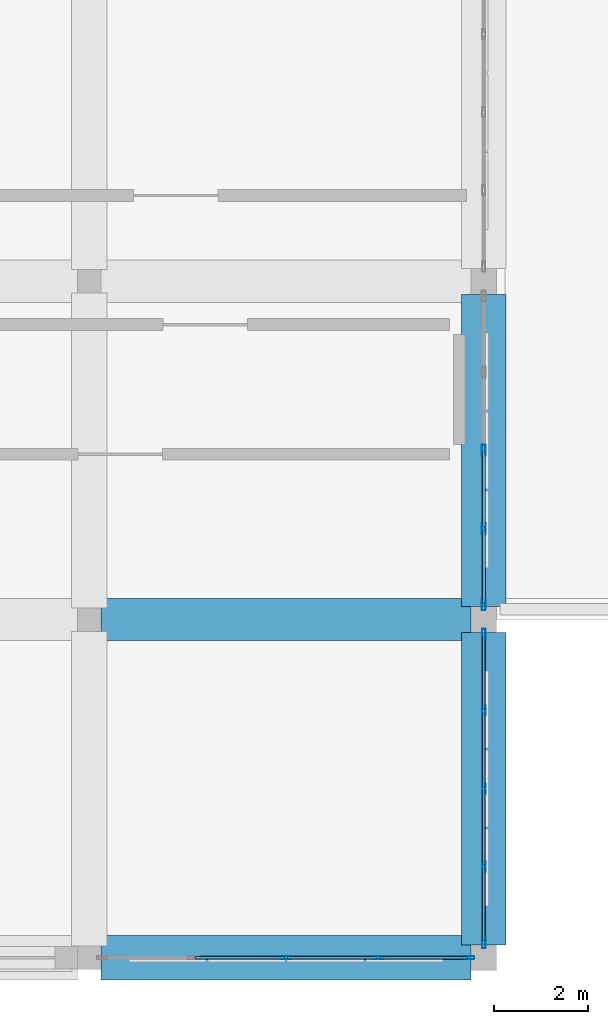
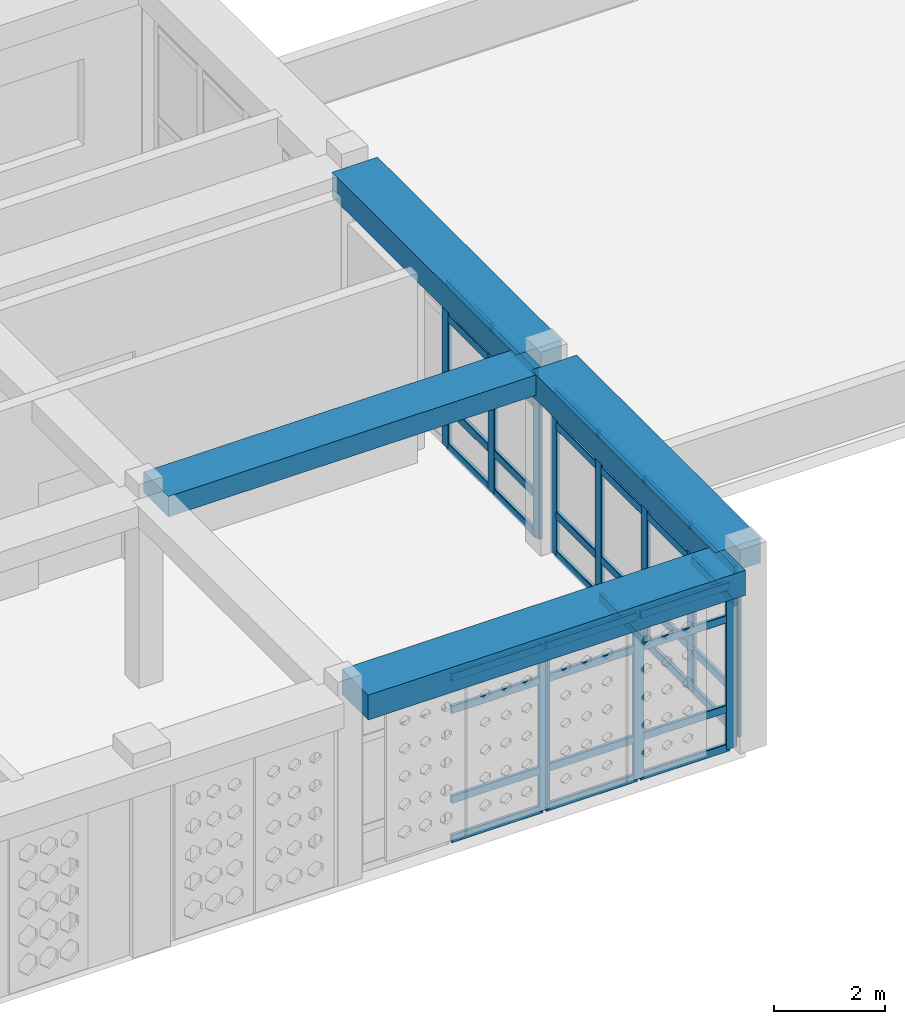
# One storey, part 44 of 111: 47 members, 4 beams, 3 elements without a shape of their own.
"""IFC4 building model written with IfcOpenShell, lengths in metres."""

from ifc_helpers import new_model, si_unit, derived_unit, direction, frame, origin, origin_2d, place, context, subcontext, project, spatial, rectangle, hollow_rectangle, extrude, material, material_profile, profile_set, type_object, element, aggregate, save


model = new_model("IFC4")

# Units and contexts
model_context = context("Model", 3, precision=1e-05, world=origin(), true_north=direction((0.0, 1.0)))
body_context = subcontext(model_context, "Body", "Model", "MODEL_VIEW")
ifc_project = project(units=[si_unit("LENGTHUNIT", "METRE"), si_unit("AREAUNIT", "SQUARE_METRE"), si_unit("VOLUMEUNIT", "CUBIC_METRE"), si_unit("PLANEANGLEUNIT", "RADIAN"), si_unit("MASSUNIT", "GRAM", prefix="KILO"), derived_unit("THERMALTRANSMITTANCEUNIT", [(si_unit("POWERUNIT", "WATT"), 1), (si_unit("LENGTHUNIT", "METRE"), -2), (si_unit("THERMODYNAMICTEMPERATUREUNIT", "KELVIN"), -1)])], contexts=[model_context])

# Site, building, storey
site_placement = place(None, origin())
site = spatial("IfcSite", under=ifc_project, at=site_placement, CompositionType="ELEMENT")
building_placement = place(site_placement, origin())
building = spatial("IfcBuilding", under=site, at=building_placement, Name="Veybourne Emporium", CompositionType="ELEMENT")
storey_placement = place(building_placement, frame((0.0, 0.0, 9.89990234375)))
storey = spatial("IfcBuildingStorey", under=building, at=storey_placement, Name="L02", CompositionType="ELEMENT", Elevation=9.89990234375)

# Curtain wall, members
ifc_material_1 = material(Name="Patinated Architectural Bronze", Category="bronze")
curtain_wall_type_1 = type_object("IfcCurtainWallType", Name="CWSystem_CWS-01", PredefinedType="NOTDEFINED", material=ifc_material_1)
curtain_wall_1_placement = place(storey_placement, origin())
curtain_wall_1 = element("IfcCurtainWall", 1, at=curtain_wall_1_placement, inside=storey, type_object=curtain_wall_type_1, Name="L02 bronze glazed curtain wall CWS-01 (072)", PredefinedType="NOTDEFINED")
ifc_material_profile_1 = material_profile(ifc_material_1, hollow_rectangle(XDim=0.072021484375, YDim=0.22509765625, WallThickness=0.0048828125, InnerFilletRadius=0.007568359375, OuterFilletRadius=0.012451171875, at=origin_2d()), Name="CWM 72x225x5")
ifc_profile_set_1 = profile_set([ifc_material_profile_1], Name="Patinated Architectural Bronze")
member_type_1 = type_object("IfcMemberType", Name="CWMullion_CW-M1", PredefinedType="MULLION", material=ifc_profile_set_1)
member_1_placement = place(storey_placement, frame((150.888916015625, 0.0, 0.0), z_axis=(0.0, 0.0, 1.0), x_axis=(0.0, -1.0, 0.0)))
member_1 = element("IfcMember", 2, at=member_1_placement, type_object=member_type_1, Name="CWS-01 mullion 1", PredefinedType="MULLION", context=body_context, shape_type="SweptSolid", body=[
    extrude(hollow_rectangle(XDim=0.072021484375, YDim=0.22509765625, WallThickness=0.0048828125, InnerFilletRadius=0.007568359375, OuterFilletRadius=0.012451171875, at=origin_2d()), origin(), (0.0, 0.0, 1.0), 3.630126953125),
])
member_2_placement = place(storey_placement, frame((148.956298828125, 0.0, 0.0), z_axis=(0.0, 0.0, 1.0), x_axis=(0.0, -1.0, 0.0)))
member_2 = element("IfcMember", 3, at=member_2_placement, type_object=member_type_1, Name="CWS-01 mullion 2", PredefinedType="MULLION", context=body_context, shape_type="SweptSolid", body=[
    extrude(hollow_rectangle(XDim=0.072021484375, YDim=0.22509765625, WallThickness=0.0048828125, InnerFilletRadius=0.007568359375, OuterFilletRadius=0.012451171875, at=origin_2d()), origin(), (0.0, 0.0, 1.0), 3.630126953125),
])
member_3_placement = place(storey_placement, frame((146.987548828125, 0.0, 0.0), z_axis=(0.0, 0.0, 1.0), x_axis=(0.0, -1.0, 0.0)))
member_3 = element("IfcMember", 4, at=member_3_placement, type_object=member_type_1, Name="CWS-01 mullion 3", PredefinedType="MULLION", context=body_context, shape_type="SweptSolid", body=[
    extrude(hollow_rectangle(XDim=0.072021484375, YDim=0.22509765625, WallThickness=0.0048828125, InnerFilletRadius=0.007568359375, OuterFilletRadius=0.012451171875, at=origin_2d()), origin(), (0.0, 0.0, 1.0), 3.630126953125),
])

curtain_wall_type_2 = type_object("IfcCurtainWallType", Name="CWSystem_CWS-02", PredefinedType="NOTDEFINED", material=ifc_material_1)
curtain_wall_2_placement = place(storey_placement, origin())
curtain_wall_2 = element("IfcCurtainWall", 5, at=curtain_wall_2_placement, inside=storey, type_object=curtain_wall_type_2, Name="L02 bronze glazed curtain wall CWS-02 (073)", PredefinedType="NOTDEFINED")
ifc_material_profile_2 = material_profile(ifc_material_1, hollow_rectangle(XDim=0.074951171875, YDim=0.22998046875, WallThickness=0.0048828125, InnerFilletRadius=0.007568359375, OuterFilletRadius=0.012451171875, at=origin_2d()), Name="CWM 75x230x5")
ifc_profile_set_2 = profile_set([ifc_material_profile_2], Name="Patinated Architectural Bronze")
member_type_2 = type_object("IfcMemberType", Name="CWMullion_CW-M2", PredefinedType="MULLION", material=ifc_profile_set_2)
member_4_placement = place(storey_placement, frame((151.199951171875, 6.887451171875, 0.0), z_axis=(0.0, 0.0, 1.0), x_axis=(1.0, 0.0, 0.0)))
member_4 = element("IfcMember", 6, at=member_4_placement, type_object=member_type_2, Name="CWS-02 mullion 1", PredefinedType="MULLION", context=body_context, shape_type="SweptSolid", body=[
    extrude(hollow_rectangle(XDim=0.074951171875, YDim=0.22998046875, WallThickness=0.0048828125, InnerFilletRadius=0.007568359375, OuterFilletRadius=0.012451171875, at=origin_2d()), origin(), (0.0, 0.0, 1.0), 3.630126953125),
])
member_5_placement = place(storey_placement, frame((151.199951171875, 5.262451171875, 0.0), z_axis=(0.0, 0.0, 1.0), x_axis=(1.0, 0.0, 0.0)))
member_5 = element("IfcMember", 7, at=member_5_placement, type_object=member_type_2, Name="CWS-02 mullion 2", PredefinedType="MULLION", context=body_context, shape_type="SweptSolid", body=[
    extrude(hollow_rectangle(XDim=0.074951171875, YDim=0.22998046875, WallThickness=0.0048828125, InnerFilletRadius=0.007568359375, OuterFilletRadius=0.012451171875, at=origin_2d()), origin(), (0.0, 0.0, 1.0), 3.630126953125),
])
member_6_placement = place(storey_placement, frame((151.199951171875, 3.60009765625, 0.0), z_axis=(0.0, 0.0, 1.0), x_axis=(1.0, 0.0, 0.0)))
member_6 = element("IfcMember", 8, at=member_6_placement, type_object=member_type_2, Name="CWS-02 mullion 3", PredefinedType="MULLION", context=body_context, shape_type="SweptSolid", body=[
    extrude(hollow_rectangle(XDim=0.074951171875, YDim=0.22998046875, WallThickness=0.0048828125, InnerFilletRadius=0.007568359375, OuterFilletRadius=0.012451171875, at=origin_2d()), origin(), (0.0, 0.0, 1.0), 3.630126953125),
])
member_7_placement = place(storey_placement, frame((151.199951171875, 1.9375, 0.0), z_axis=(0.0, 0.0, 1.0), x_axis=(1.0, 0.0, 0.0)))
member_7 = element("IfcMember", 9, at=member_7_placement, type_object=member_type_2, Name="CWS-02 mullion 4", PredefinedType="MULLION", context=body_context, shape_type="SweptSolid", body=[
    extrude(hollow_rectangle(XDim=0.074951171875, YDim=0.22998046875, WallThickness=0.0048828125, InnerFilletRadius=0.007568359375, OuterFilletRadius=0.012451171875, at=origin_2d()), origin(), (0.0, 0.0, 1.0), 3.630126953125),
])
member_8_placement = place(storey_placement, frame((151.199951171875, 0.3125, 0.0), z_axis=(0.0, 0.0, 1.0), x_axis=(1.0, 0.0, 0.0)))
member_8 = element("IfcMember", 10, at=member_8_placement, type_object=member_type_2, Name="CWS-02 mullion 5", PredefinedType="MULLION", context=body_context, shape_type="SweptSolid", body=[
    extrude(hollow_rectangle(XDim=0.074951171875, YDim=0.22998046875, WallThickness=0.0048828125, InnerFilletRadius=0.007568359375, OuterFilletRadius=0.012451171875, at=origin_2d()), origin(), (0.0, 0.0, 1.0), 3.630126953125),
])

curtain_wall_type_3 = type_object("IfcCurtainWallType", Name="CWSystem_CWS-03", PredefinedType="NOTDEFINED", material=ifc_material_1)
curtain_wall_3_placement = place(storey_placement, origin())
curtain_wall_3 = element("IfcCurtainWall", 11, at=curtain_wall_3_placement, inside=storey, type_object=curtain_wall_type_3, Name="L02 bronze glazed curtain wall CWS-03 (074)", PredefinedType="NOTDEFINED")
ifc_material_profile_3 = material_profile(ifc_material_1, hollow_rectangle(XDim=0.077880859375, YDim=0.235107421875, WallThickness=0.0048828125, InnerFilletRadius=0.007568359375, OuterFilletRadius=0.012451171875, at=origin_2d()), Name="CWM 78x235x5")
ifc_profile_set_3 = profile_set([ifc_material_profile_3], Name="Patinated Architectural Bronze")
member_type_3 = type_object("IfcMemberType", Name="CWMullion_CW-M3", PredefinedType="MULLION", material=ifc_profile_set_3)
member_9_placement = place(storey_placement, frame((151.199951171875, 10.800048828125, 0.0), z_axis=(0.0, 0.0, 1.0), x_axis=(1.0, 0.0, 0.0)))
member_9 = element("IfcMember", 12, at=member_9_placement, type_object=member_type_3, Name="CWS-03 mullion 3", PredefinedType="MULLION", context=body_context, shape_type="SweptSolid", body=[
    extrude(hollow_rectangle(XDim=0.077880859375, YDim=0.235107421875, WallThickness=0.0048828125, InnerFilletRadius=0.007568359375, OuterFilletRadius=0.012451171875, at=origin_2d()), origin(), (0.0, 0.0, 1.0), 3.630126953125),
])
member_10_placement = place(storey_placement, frame((151.199951171875, 9.137451171875, 0.0), z_axis=(0.0, 0.0, 1.0), x_axis=(1.0, 0.0, 0.0)))
member_10 = element("IfcMember", 13, at=member_10_placement, type_object=member_type_3, Name="CWS-03 mullion 4", PredefinedType="MULLION", context=body_context, shape_type="SweptSolid", body=[
    extrude(hollow_rectangle(XDim=0.077880859375, YDim=0.235107421875, WallThickness=0.0048828125, InnerFilletRadius=0.007568359375, OuterFilletRadius=0.012451171875, at=origin_2d()), origin(), (0.0, 0.0, 1.0), 3.630126953125),
])
member_11_placement = place(storey_placement, frame((151.199951171875, 7.513916015625, 0.0), z_axis=(0.0, 0.0, 1.0), x_axis=(1.0, 0.0, 0.0)))
member_11 = element("IfcMember", 14, at=member_11_placement, type_object=member_type_3, Name="CWS-03 mullion 5", PredefinedType="MULLION", context=body_context, shape_type="SweptSolid", body=[
    extrude(hollow_rectangle(XDim=0.077880859375, YDim=0.235107421875, WallThickness=0.0048828125, InnerFilletRadius=0.007568359375, OuterFilletRadius=0.012451171875, at=origin_2d()), origin(), (0.0, 0.0, 1.0), 3.630126953125),
])

# Member
ifc_material_profile_4 = material_profile(ifc_material_1, hollow_rectangle(XDim=0.072021484375, YDim=0.175048828125, WallThickness=0.0048828125, InnerFilletRadius=0.007568359375, OuterFilletRadius=0.012451171875, at=origin_2d()), Name="CWT 72x175x5")
ifc_profile_set_4 = profile_set([ifc_material_profile_4], Name="Patinated Architectural Bronze")
member_type_4 = type_object("IfcMemberType", Name="CWTransom_CW-T1", PredefinedType="NOTDEFINED", material=ifc_profile_set_4)
member_12_placement = place(storey_placement, frame((150.85302734375, 0.0, 0.0361328125), z_axis=(-1.0, 0.0, 0.0), x_axis=(0.0, -1.0, 0.0)))
member_12 = element("IfcMember", 15, at=member_12_placement, type_object=member_type_4, Name="CWS-01 transom 1.1", ObjectType="TRANSOM", PredefinedType="USERDEFINED", context=body_context, shape_type="SweptSolid", body=[
    extrude(hollow_rectangle(XDim=0.072021484375, YDim=0.175048828125, WallThickness=0.0048828125, InnerFilletRadius=0.007568359375, OuterFilletRadius=0.012451171875, at=origin_2d()), origin(), (0.0, 0.0, 1.0), 1.86083984375),
])

member_13_placement = place(storey_placement, frame((150.85302734375, 0.0, 0.900146484375), z_axis=(-1.0, 0.0, 0.0), x_axis=(0.0, -1.0, 0.0)))
member_13 = element("IfcMember", 16, at=member_13_placement, type_object=member_type_4, Name="CWS-01 transom 1.2", ObjectType="TRANSOM", PredefinedType="USERDEFINED", context=body_context, shape_type="SweptSolid", body=[
    extrude(hollow_rectangle(XDim=0.072021484375, YDim=0.175048828125, WallThickness=0.0048828125, InnerFilletRadius=0.007568359375, OuterFilletRadius=0.012451171875, at=origin_2d()), origin(), (0.0, 0.0, 1.0), 1.86083984375),
])

member_14_placement = place(storey_placement, frame((150.85302734375, 0.0, 2.880126953125), z_axis=(-1.0, 0.0, 0.0), x_axis=(0.0, -1.0, 0.0)))
member_14 = element("IfcMember", 17, at=member_14_placement, type_object=member_type_4, Name="CWS-01 transom 1.3", ObjectType="TRANSOM", PredefinedType="USERDEFINED", context=body_context, shape_type="SweptSolid", body=[
    extrude(hollow_rectangle(XDim=0.072021484375, YDim=0.175048828125, WallThickness=0.0048828125, InnerFilletRadius=0.007568359375, OuterFilletRadius=0.012451171875, at=origin_2d()), origin(), (0.0, 0.0, 1.0), 1.86083984375),
])

member_15_placement = place(storey_placement, frame((150.85302734375, 0.0, 3.593994140625), z_axis=(-1.0, 0.0, 0.0), x_axis=(0.0, -1.0, 0.0)))
member_15 = element("IfcMember", 18, at=member_15_placement, type_object=member_type_4, Name="CWS-01 transom 1.4", ObjectType="TRANSOM", PredefinedType="USERDEFINED", context=body_context, shape_type="SweptSolid", body=[
    extrude(hollow_rectangle(XDim=0.072021484375, YDim=0.175048828125, WallThickness=0.0048828125, InnerFilletRadius=0.007568359375, OuterFilletRadius=0.012451171875, at=origin_2d()), origin(), (0.0, 0.0, 1.0), 1.86083984375),
])

member_16_placement = place(storey_placement, frame((148.920166015625, 0.0, 0.0361328125), z_axis=(-1.0, 0.0, 0.0), x_axis=(0.0, -1.0, 0.0)))
member_16 = element("IfcMember", 19, at=member_16_placement, type_object=member_type_4, Name="CWS-01 transom 2.1", ObjectType="TRANSOM", PredefinedType="USERDEFINED", context=body_context, shape_type="SweptSolid", body=[
    extrude(hollow_rectangle(XDim=0.072021484375, YDim=0.175048828125, WallThickness=0.0048828125, InnerFilletRadius=0.007568359375, OuterFilletRadius=0.012451171875, at=origin_2d()), origin(), (0.0, 0.0, 1.0), 1.896728515625),
])

member_17_placement = place(storey_placement, frame((148.920166015625, 0.0, 0.900146484375), z_axis=(-1.0, 0.0, 0.0), x_axis=(0.0, -1.0, 0.0)))
member_17 = element("IfcMember", 20, at=member_17_placement, type_object=member_type_4, Name="CWS-01 transom 2.2", ObjectType="TRANSOM", PredefinedType="USERDEFINED", context=body_context, shape_type="SweptSolid", body=[
    extrude(hollow_rectangle(XDim=0.072021484375, YDim=0.175048828125, WallThickness=0.0048828125, InnerFilletRadius=0.007568359375, OuterFilletRadius=0.012451171875, at=origin_2d()), origin(), (0.0, 0.0, 1.0), 1.896728515625),
])

member_18_placement = place(storey_placement, frame((148.920166015625, 0.0, 2.880126953125), z_axis=(-1.0, 0.0, 0.0), x_axis=(0.0, -1.0, 0.0)))
member_18 = element("IfcMember", 21, at=member_18_placement, type_object=member_type_4, Name="CWS-01 transom 2.3", ObjectType="TRANSOM", PredefinedType="USERDEFINED", context=body_context, shape_type="SweptSolid", body=[
    extrude(hollow_rectangle(XDim=0.072021484375, YDim=0.175048828125, WallThickness=0.0048828125, InnerFilletRadius=0.007568359375, OuterFilletRadius=0.012451171875, at=origin_2d()), origin(), (0.0, 0.0, 1.0), 1.896728515625),
])

member_19_placement = place(storey_placement, frame((148.920166015625, 0.0, 3.593994140625), z_axis=(-1.0, 0.0, 0.0), x_axis=(0.0, -1.0, 0.0)))
member_19 = element("IfcMember", 22, at=member_19_placement, type_object=member_type_4, Name="CWS-01 transom 2.4", ObjectType="TRANSOM", PredefinedType="USERDEFINED", context=body_context, shape_type="SweptSolid", body=[
    extrude(hollow_rectangle(XDim=0.072021484375, YDim=0.175048828125, WallThickness=0.0048828125, InnerFilletRadius=0.007568359375, OuterFilletRadius=0.012451171875, at=origin_2d()), origin(), (0.0, 0.0, 1.0), 1.896728515625),
])

member_20_placement = place(storey_placement, frame((146.951416015625, 0.0, 0.0361328125), z_axis=(-1.0, 0.0, 0.0), x_axis=(0.0, -1.0, 0.0)))
member_20 = element("IfcMember", 23, at=member_20_placement, type_object=member_type_4, Name="CWS-01 transom 3.1", ObjectType="TRANSOM", PredefinedType="USERDEFINED", context=body_context, shape_type="SweptSolid", body=[
    extrude(hollow_rectangle(XDim=0.072021484375, YDim=0.175048828125, WallThickness=0.0048828125, InnerFilletRadius=0.007568359375, OuterFilletRadius=0.012451171875, at=origin_2d()), origin(), (0.0, 0.0, 1.0), 1.896728515625),
])

member_21_placement = place(storey_placement, frame((146.951416015625, 0.0, 0.900146484375), z_axis=(-1.0, 0.0, 0.0), x_axis=(0.0, -1.0, 0.0)))
member_21 = element("IfcMember", 24, at=member_21_placement, type_object=member_type_4, Name="CWS-01 transom 3.2", ObjectType="TRANSOM", PredefinedType="USERDEFINED", context=body_context, shape_type="SweptSolid", body=[
    extrude(hollow_rectangle(XDim=0.072021484375, YDim=0.175048828125, WallThickness=0.0048828125, InnerFilletRadius=0.007568359375, OuterFilletRadius=0.012451171875, at=origin_2d()), origin(), (0.0, 0.0, 1.0), 1.896728515625),
])

member_22_placement = place(storey_placement, frame((146.951416015625, 0.0, 2.880126953125), z_axis=(-1.0, 0.0, 0.0), x_axis=(0.0, -1.0, 0.0)))
member_22 = element("IfcMember", 25, at=member_22_placement, type_object=member_type_4, Name="CWS-01 transom 3.3", ObjectType="TRANSOM", PredefinedType="USERDEFINED", context=body_context, shape_type="SweptSolid", body=[
    extrude(hollow_rectangle(XDim=0.072021484375, YDim=0.175048828125, WallThickness=0.0048828125, InnerFilletRadius=0.007568359375, OuterFilletRadius=0.012451171875, at=origin_2d()), origin(), (0.0, 0.0, 1.0), 1.896728515625),
])

member_23_placement = place(storey_placement, frame((146.951416015625, 0.0, 3.593994140625), z_axis=(-1.0, 0.0, 0.0), x_axis=(0.0, -1.0, 0.0)))
member_23 = element("IfcMember", 26, at=member_23_placement, type_object=member_type_4, Name="CWS-01 transom 3.4", ObjectType="TRANSOM", PredefinedType="USERDEFINED", context=body_context, shape_type="SweptSolid", body=[
    extrude(hollow_rectangle(XDim=0.072021484375, YDim=0.175048828125, WallThickness=0.0048828125, InnerFilletRadius=0.007568359375, OuterFilletRadius=0.012451171875, at=origin_2d()), origin(), (0.0, 0.0, 1.0), 1.896728515625),
])

aggregate(curtain_wall_1, [member_1, member_2, member_3, member_12, member_13, member_14, member_15, member_16, member_17, member_18, member_19, member_20, member_21, member_22, member_23])

ifc_material_profile_5 = material_profile(ifc_material_1, hollow_rectangle(XDim=0.074951171875, YDim=0.179931640625, WallThickness=0.0048828125, InnerFilletRadius=0.007568359375, OuterFilletRadius=0.012451171875, at=origin_2d()), Name="CWT 75x180x5")
ifc_profile_set_5 = profile_set([ifc_material_profile_5], Name="Patinated Architectural Bronze")
member_type_5 = type_object("IfcMemberType", Name="CWTransom_CW-T2", PredefinedType="NOTDEFINED", material=ifc_profile_set_5)
member_24_placement = place(storey_placement, frame((151.199951171875, 6.85009765625, 0.03759765625), z_axis=(0.0, -1.0, 0.0), x_axis=(1.0, 0.0, 0.0)))
member_24 = element("IfcMember", 27, at=member_24_placement, type_object=member_type_5, Name="CWS-02 transom 1.1", ObjectType="TRANSOM", PredefinedType="USERDEFINED", context=body_context, shape_type="SweptSolid", body=[
    extrude(hollow_rectangle(XDim=0.074951171875, YDim=0.179931640625, WallThickness=0.0048828125, InnerFilletRadius=0.007568359375, OuterFilletRadius=0.012451171875, at=origin_2d()), origin(), (0.0, 0.0, 1.0), 1.550048828125),
])

member_25_placement = place(storey_placement, frame((151.199951171875, 6.85009765625, 0.900146484375), z_axis=(0.0, -1.0, 0.0), x_axis=(1.0, 0.0, 0.0)))
member_25 = element("IfcMember", 28, at=member_25_placement, type_object=member_type_5, Name="CWS-02 transom 1.2", ObjectType="TRANSOM", PredefinedType="USERDEFINED", context=body_context, shape_type="SweptSolid", body=[
    extrude(hollow_rectangle(XDim=0.074951171875, YDim=0.179931640625, WallThickness=0.0048828125, InnerFilletRadius=0.007568359375, OuterFilletRadius=0.012451171875, at=origin_2d()), origin(), (0.0, 0.0, 1.0), 1.550048828125),
])

member_26_placement = place(storey_placement, frame((151.199951171875, 6.85009765625, 2.880126953125), z_axis=(0.0, -1.0, 0.0), x_axis=(1.0, 0.0, 0.0)))
member_26 = element("IfcMember", 29, at=member_26_placement, type_object=member_type_5, Name="CWS-02 transom 1.3", ObjectType="TRANSOM", PredefinedType="USERDEFINED", context=body_context, shape_type="SweptSolid", body=[
    extrude(hollow_rectangle(XDim=0.074951171875, YDim=0.179931640625, WallThickness=0.0048828125, InnerFilletRadius=0.007568359375, OuterFilletRadius=0.012451171875, at=origin_2d()), origin(), (0.0, 0.0, 1.0), 1.550048828125),
])

member_27_placement = place(storey_placement, frame((151.199951171875, 6.85009765625, 3.592529296875), z_axis=(0.0, -1.0, 0.0), x_axis=(1.0, 0.0, 0.0)))
member_27 = element("IfcMember", 30, at=member_27_placement, type_object=member_type_5, Name="CWS-02 transom 1.4", ObjectType="TRANSOM", PredefinedType="USERDEFINED", context=body_context, shape_type="SweptSolid", body=[
    extrude(hollow_rectangle(XDim=0.074951171875, YDim=0.179931640625, WallThickness=0.0048828125, InnerFilletRadius=0.007568359375, OuterFilletRadius=0.012451171875, at=origin_2d()), origin(), (0.0, 0.0, 1.0), 1.550048828125),
])

member_28_placement = place(storey_placement, frame((151.199951171875, 5.22509765625, 0.03759765625), z_axis=(0.0, -1.0, 0.0), x_axis=(1.0, 0.0, 0.0)))
member_28 = element("IfcMember", 31, at=member_28_placement, type_object=member_type_5, Name="CWS-02 transom 2.1", ObjectType="TRANSOM", PredefinedType="USERDEFINED", context=body_context, shape_type="SweptSolid", body=[
    extrude(hollow_rectangle(XDim=0.074951171875, YDim=0.179931640625, WallThickness=0.0048828125, InnerFilletRadius=0.007568359375, OuterFilletRadius=0.012451171875, at=origin_2d()), origin(), (0.0, 0.0, 1.0), 1.587646484375),
])

member_29_placement = place(storey_placement, frame((151.199951171875, 5.22509765625, 0.900146484375), z_axis=(0.0, -1.0, 0.0), x_axis=(1.0, 0.0, 0.0)))
member_29 = element("IfcMember", 32, at=member_29_placement, type_object=member_type_5, Name="CWS-02 transom 2.2", ObjectType="TRANSOM", PredefinedType="USERDEFINED", context=body_context, shape_type="SweptSolid", body=[
    extrude(hollow_rectangle(XDim=0.074951171875, YDim=0.179931640625, WallThickness=0.0048828125, InnerFilletRadius=0.007568359375, OuterFilletRadius=0.012451171875, at=origin_2d()), origin(), (0.0, 0.0, 1.0), 1.587646484375),
])

member_30_placement = place(storey_placement, frame((151.199951171875, 5.22509765625, 2.880126953125), z_axis=(0.0, -1.0, 0.0), x_axis=(1.0, 0.0, 0.0)))
member_30 = element("IfcMember", 33, at=member_30_placement, type_object=member_type_5, Name="CWS-02 transom 2.3", ObjectType="TRANSOM", PredefinedType="USERDEFINED", context=body_context, shape_type="SweptSolid", body=[
    extrude(hollow_rectangle(XDim=0.074951171875, YDim=0.179931640625, WallThickness=0.0048828125, InnerFilletRadius=0.007568359375, OuterFilletRadius=0.012451171875, at=origin_2d()), origin(), (0.0, 0.0, 1.0), 1.587646484375),
])

member_31_placement = place(storey_placement, frame((151.199951171875, 5.22509765625, 3.592529296875), z_axis=(0.0, -1.0, 0.0), x_axis=(1.0, 0.0, 0.0)))
member_31 = element("IfcMember", 34, at=member_31_placement, type_object=member_type_5, Name="CWS-02 transom 2.4", ObjectType="TRANSOM", PredefinedType="USERDEFINED", context=body_context, shape_type="SweptSolid", body=[
    extrude(hollow_rectangle(XDim=0.074951171875, YDim=0.179931640625, WallThickness=0.0048828125, InnerFilletRadius=0.007568359375, OuterFilletRadius=0.012451171875, at=origin_2d()), origin(), (0.0, 0.0, 1.0), 1.587646484375),
])

member_32_placement = place(storey_placement, frame((151.199951171875, 3.5625, 0.03759765625), z_axis=(0.0, -1.0, 0.0), x_axis=(1.0, 0.0, 0.0)))
member_32 = element("IfcMember", 35, at=member_32_placement, type_object=member_type_5, Name="CWS-02 transom 3.1", ObjectType="TRANSOM", PredefinedType="USERDEFINED", context=body_context, shape_type="SweptSolid", body=[
    extrude(hollow_rectangle(XDim=0.074951171875, YDim=0.179931640625, WallThickness=0.0048828125, InnerFilletRadius=0.007568359375, OuterFilletRadius=0.012451171875, at=origin_2d()), origin(), (0.0, 0.0, 1.0), 1.58740234375),
])

member_33_placement = place(storey_placement, frame((151.199951171875, 3.5625, 0.900146484375), z_axis=(0.0, -1.0, 0.0), x_axis=(1.0, 0.0, 0.0)))
member_33 = element("IfcMember", 36, at=member_33_placement, type_object=member_type_5, Name="CWS-02 transom 3.2", ObjectType="TRANSOM", PredefinedType="USERDEFINED", context=body_context, shape_type="SweptSolid", body=[
    extrude(hollow_rectangle(XDim=0.074951171875, YDim=0.179931640625, WallThickness=0.0048828125, InnerFilletRadius=0.007568359375, OuterFilletRadius=0.012451171875, at=origin_2d()), origin(), (0.0, 0.0, 1.0), 1.58740234375),
])

member_34_placement = place(storey_placement, frame((151.199951171875, 3.5625, 2.880126953125), z_axis=(0.0, -1.0, 0.0), x_axis=(1.0, 0.0, 0.0)))
member_34 = element("IfcMember", 37, at=member_34_placement, type_object=member_type_5, Name="CWS-02 transom 3.3", ObjectType="TRANSOM", PredefinedType="USERDEFINED", context=body_context, shape_type="SweptSolid", body=[
    extrude(hollow_rectangle(XDim=0.074951171875, YDim=0.179931640625, WallThickness=0.0048828125, InnerFilletRadius=0.007568359375, OuterFilletRadius=0.012451171875, at=origin_2d()), origin(), (0.0, 0.0, 1.0), 1.58740234375),
])

member_35_placement = place(storey_placement, frame((151.199951171875, 3.5625, 3.592529296875), z_axis=(0.0, -1.0, 0.0), x_axis=(1.0, 0.0, 0.0)))
member_35 = element("IfcMember", 38, at=member_35_placement, type_object=member_type_5, Name="CWS-02 transom 3.4", ObjectType="TRANSOM", PredefinedType="USERDEFINED", context=body_context, shape_type="SweptSolid", body=[
    extrude(hollow_rectangle(XDim=0.074951171875, YDim=0.179931640625, WallThickness=0.0048828125, InnerFilletRadius=0.007568359375, OuterFilletRadius=0.012451171875, at=origin_2d()), origin(), (0.0, 0.0, 1.0), 1.58740234375),
])

member_36_placement = place(storey_placement, frame((151.199951171875, 1.89990234375, 0.03759765625), z_axis=(0.0, -1.0, 0.0), x_axis=(1.0, 0.0, 0.0)))
member_36 = element("IfcMember", 39, at=member_36_placement, type_object=member_type_5, Name="CWS-02 transom 4.1", ObjectType="TRANSOM", PredefinedType="USERDEFINED", context=body_context, shape_type="SweptSolid", body=[
    extrude(hollow_rectangle(XDim=0.074951171875, YDim=0.179931640625, WallThickness=0.0048828125, InnerFilletRadius=0.007568359375, OuterFilletRadius=0.012451171875, at=origin_2d()), origin(), (0.0, 0.0, 1.0), 1.5498046875),
])

member_37_placement = place(storey_placement, frame((151.199951171875, 1.89990234375, 0.900146484375), z_axis=(0.0, -1.0, 0.0), x_axis=(1.0, 0.0, 0.0)))
member_37 = element("IfcMember", 40, at=member_37_placement, type_object=member_type_5, Name="CWS-02 transom 4.2", ObjectType="TRANSOM", PredefinedType="USERDEFINED", context=body_context, shape_type="SweptSolid", body=[
    extrude(hollow_rectangle(XDim=0.074951171875, YDim=0.179931640625, WallThickness=0.0048828125, InnerFilletRadius=0.007568359375, OuterFilletRadius=0.012451171875, at=origin_2d()), origin(), (0.0, 0.0, 1.0), 1.5498046875),
])

member_38_placement = place(storey_placement, frame((151.199951171875, 1.89990234375, 2.880126953125), z_axis=(0.0, -1.0, 0.0), x_axis=(1.0, 0.0, 0.0)))
member_38 = element("IfcMember", 41, at=member_38_placement, type_object=member_type_5, Name="CWS-02 transom 4.3", ObjectType="TRANSOM", PredefinedType="USERDEFINED", context=body_context, shape_type="SweptSolid", body=[
    extrude(hollow_rectangle(XDim=0.074951171875, YDim=0.179931640625, WallThickness=0.0048828125, InnerFilletRadius=0.007568359375, OuterFilletRadius=0.012451171875, at=origin_2d()), origin(), (0.0, 0.0, 1.0), 1.5498046875),
])

member_39_placement = place(storey_placement, frame((151.199951171875, 1.89990234375, 3.592529296875), z_axis=(0.0, -1.0, 0.0), x_axis=(1.0, 0.0, 0.0)))
member_39 = element("IfcMember", 42, at=member_39_placement, type_object=member_type_5, Name="CWS-02 transom 4.4", ObjectType="TRANSOM", PredefinedType="USERDEFINED", context=body_context, shape_type="SweptSolid", body=[
    extrude(hollow_rectangle(XDim=0.074951171875, YDim=0.179931640625, WallThickness=0.0048828125, InnerFilletRadius=0.007568359375, OuterFilletRadius=0.012451171875, at=origin_2d()), origin(), (0.0, 0.0, 1.0), 1.5498046875),
])

aggregate(curtain_wall_2, [member_4, member_5, member_6, member_7, member_8, member_24, member_25, member_26, member_27, member_28, member_29, member_30, member_31, member_32, member_33, member_34, member_35, member_36, member_37, member_38, member_39])

ifc_material_profile_6 = material_profile(ifc_material_1, hollow_rectangle(XDim=0.077880859375, YDim=0.18505859375, WallThickness=0.0048828125, InnerFilletRadius=0.007568359375, OuterFilletRadius=0.012451171875, at=origin_2d()), Name="CWT 78x185x5")
ifc_profile_set_6 = profile_set([ifc_material_profile_6], Name="Patinated Architectural Bronze")
member_type_6 = type_object("IfcMemberType", Name="CWTransom_CW-T3", PredefinedType="NOTDEFINED", material=ifc_profile_set_6)
member_40_placement = place(storey_placement, frame((151.199951171875, 10.760986328125, 0.0390625), z_axis=(0.0, -1.0, 0.0), x_axis=(1.0, 0.0, 0.0)))
member_40 = element("IfcMember", 43, at=member_40_placement, type_object=member_type_6, Name="CWS-03 transom 3.1", ObjectType="TRANSOM", PredefinedType="USERDEFINED", context=body_context, shape_type="SweptSolid", body=[
    extrude(hollow_rectangle(XDim=0.077880859375, YDim=0.18505859375, WallThickness=0.0048828125, InnerFilletRadius=0.007568359375, OuterFilletRadius=0.012451171875, at=origin_2d()), origin(), (0.0, 0.0, 1.0), 1.58447265625),
])

member_41_placement = place(storey_placement, frame((151.199951171875, 10.760986328125, 0.900146484375), z_axis=(0.0, -1.0, 0.0), x_axis=(1.0, 0.0, 0.0)))
member_41 = element("IfcMember", 44, at=member_41_placement, type_object=member_type_6, Name="CWS-03 transom 3.2", ObjectType="TRANSOM", PredefinedType="USERDEFINED", context=body_context, shape_type="SweptSolid", body=[
    extrude(hollow_rectangle(XDim=0.077880859375, YDim=0.18505859375, WallThickness=0.0048828125, InnerFilletRadius=0.007568359375, OuterFilletRadius=0.012451171875, at=origin_2d()), origin(), (0.0, 0.0, 1.0), 1.58447265625),
])

member_42_placement = place(storey_placement, frame((151.199951171875, 10.760986328125, 2.880126953125), z_axis=(0.0, -1.0, 0.0), x_axis=(1.0, 0.0, 0.0)))
member_42 = element("IfcMember", 45, at=member_42_placement, type_object=member_type_6, Name="CWS-03 transom 3.3", ObjectType="TRANSOM", PredefinedType="USERDEFINED", context=body_context, shape_type="SweptSolid", body=[
    extrude(hollow_rectangle(XDim=0.077880859375, YDim=0.18505859375, WallThickness=0.0048828125, InnerFilletRadius=0.007568359375, OuterFilletRadius=0.012451171875, at=origin_2d()), origin(), (0.0, 0.0, 1.0), 1.58447265625),
])

member_43_placement = place(storey_placement, frame((151.199951171875, 10.760986328125, 3.591064453125), z_axis=(0.0, -1.0, 0.0), x_axis=(1.0, 0.0, 0.0)))
member_43 = element("IfcMember", 46, at=member_43_placement, type_object=member_type_6, Name="CWS-03 transom 3.4", ObjectType="TRANSOM", PredefinedType="USERDEFINED", context=body_context, shape_type="SweptSolid", body=[
    extrude(hollow_rectangle(XDim=0.077880859375, YDim=0.18505859375, WallThickness=0.0048828125, InnerFilletRadius=0.007568359375, OuterFilletRadius=0.012451171875, at=origin_2d()), origin(), (0.0, 0.0, 1.0), 1.58447265625),
])

member_44_placement = place(storey_placement, frame((151.199951171875, 9.098388671875, 0.0390625), z_axis=(0.0, -1.0, 0.0), x_axis=(1.0, 0.0, 0.0)))
member_44 = element("IfcMember", 47, at=member_44_placement, type_object=member_type_6, Name="CWS-03 transom 4.1", ObjectType="TRANSOM", PredefinedType="USERDEFINED", context=body_context, shape_type="SweptSolid", body=[
    extrude(hollow_rectangle(XDim=0.077880859375, YDim=0.18505859375, WallThickness=0.0048828125, InnerFilletRadius=0.007568359375, OuterFilletRadius=0.012451171875, at=origin_2d()), origin(), (0.0, 0.0, 1.0), 1.54541015625),
])

member_45_placement = place(storey_placement, frame((151.199951171875, 9.098388671875, 0.900146484375), z_axis=(0.0, -1.0, 0.0), x_axis=(1.0, 0.0, 0.0)))
member_45 = element("IfcMember", 48, at=member_45_placement, type_object=member_type_6, Name="CWS-03 transom 4.2", ObjectType="TRANSOM", PredefinedType="USERDEFINED", context=body_context, shape_type="SweptSolid", body=[
    extrude(hollow_rectangle(XDim=0.077880859375, YDim=0.18505859375, WallThickness=0.0048828125, InnerFilletRadius=0.007568359375, OuterFilletRadius=0.012451171875, at=origin_2d()), origin(), (0.0, 0.0, 1.0), 1.54541015625),
])

member_46_placement = place(storey_placement, frame((151.199951171875, 9.098388671875, 2.880126953125), z_axis=(0.0, -1.0, 0.0), x_axis=(1.0, 0.0, 0.0)))
member_46 = element("IfcMember", 49, at=member_46_placement, type_object=member_type_6, Name="CWS-03 transom 4.3", ObjectType="TRANSOM", PredefinedType="USERDEFINED", context=body_context, shape_type="SweptSolid", body=[
    extrude(hollow_rectangle(XDim=0.077880859375, YDim=0.18505859375, WallThickness=0.0048828125, InnerFilletRadius=0.007568359375, OuterFilletRadius=0.012451171875, at=origin_2d()), origin(), (0.0, 0.0, 1.0), 1.54541015625),
])

member_47_placement = place(storey_placement, frame((151.199951171875, 9.098388671875, 3.591064453125), z_axis=(0.0, -1.0, 0.0), x_axis=(1.0, 0.0, 0.0)))
member_47 = element("IfcMember", 50, at=member_47_placement, type_object=member_type_6, Name="CWS-03 transom 4.4", ObjectType="TRANSOM", PredefinedType="USERDEFINED", context=body_context, shape_type="SweptSolid", body=[
    extrude(hollow_rectangle(XDim=0.077880859375, YDim=0.18505859375, WallThickness=0.0048828125, InnerFilletRadius=0.007568359375, OuterFilletRadius=0.012451171875, at=origin_2d()), origin(), (0.0, 0.0, 1.0), 1.54541015625),
])

aggregate(curtain_wall_3, [member_9, member_10, member_11, member_40, member_41, member_42, member_43, member_44, member_45, member_46, member_47])

# Beams
ifc_material_2 = material(Name="Concrete C32/40", Category="concrete")
ifc_material_profile_7 = material_profile(ifc_material_2, rectangle(XDim=0.89990234375, YDim=0.449951171875, at=origin_2d()), Name="RC 900x450")
ifc_profile_set_7 = profile_set([ifc_material_profile_7], Name="Concrete C32/40")
beam_type_1 = type_object("IfcBeamType", Name="RCBeam_BB-03", PredefinedType="BEAM", material=ifc_profile_set_7)
beam_1_placement = place(storey_placement, frame((143.050048828125, 7.199951171875, 3.955078125), z_axis=(1.0, 0.0, 0.0), x_axis=(0.0, 1.0, 0.0)))
element("IfcBeam", 51, at=beam_1_placement, inside=storey, type_object=beam_type_1, Name="L02 X-grid beam BB-03 (17,1)", PredefinedType="BEAM", context=body_context, shape_type="SweptSolid", body=[
    extrude(rectangle(XDim=0.89990234375, YDim=0.449951171875, at=origin_2d()), origin(), (0.0, 0.0, 1.0), 7.875),
])
ifc_material_profile_8 = material_profile(ifc_material_2, rectangle(XDim=0.949951171875, YDim=0.550048828125, at=origin_2d()), Name="RC 950x550")
ifc_profile_set_8 = profile_set([ifc_material_profile_8], Name="Concrete C32/40")
beam_type_2 = type_object("IfcBeamType", Name="RCBeam_EB-01", PredefinedType="SPANDREL", material=ifc_profile_set_8)
beam_2_placement = place(storey_placement, frame((143.050048828125, 0.0, 3.905029296875), z_axis=(1.0, 0.0, 0.0), x_axis=(0.0, 1.0, 0.0)))
element("IfcBeam", 52, at=beam_2_placement, inside=storey, type_object=beam_type_2, Name="L02 X-grid beam EB-01 (17,0)", PredefinedType="SPANDREL", context=body_context, shape_type="SweptSolid", body=[
    extrude(rectangle(XDim=0.949951171875, YDim=0.550048828125, at=origin_2d()), origin(), (0.0, 0.0, 1.0), 7.875),
])
beam_3_placement = place(storey_placement, frame((151.199951171875, 0.27490234375, 3.905029296875), z_axis=(0.0, 1.0, 0.0), x_axis=(-1.0, 0.0, 0.0)))
element("IfcBeam", 53, at=beam_3_placement, inside=storey, type_object=beam_type_2, Name="L02 Y-grid beam EB-01 (18,0)", PredefinedType="SPANDREL", context=body_context, shape_type="SweptSolid", body=[
    extrude(rectangle(XDim=0.949951171875, YDim=0.550048828125, at=origin_2d()), origin(), (0.0, 0.0, 1.0), 6.650146484375),
])
beam_4_placement = place(storey_placement, frame((151.199951171875, 7.47509765625, 3.905029296875), z_axis=(0.0, 1.0, 0.0), x_axis=(-1.0, 0.0, 0.0)))
element("IfcBeam", 54, at=beam_4_placement, inside=storey, type_object=beam_type_2, Name="L02 Y-grid beam EB-01 (18,1)", PredefinedType="SPANDREL", context=body_context, shape_type="SweptSolid", body=[
    extrude(rectangle(XDim=0.949951171875, YDim=0.550048828125, at=origin_2d()), origin(), (0.0, 0.0, 1.0), 6.64990234375),
])

save(model, "model.ifc")
